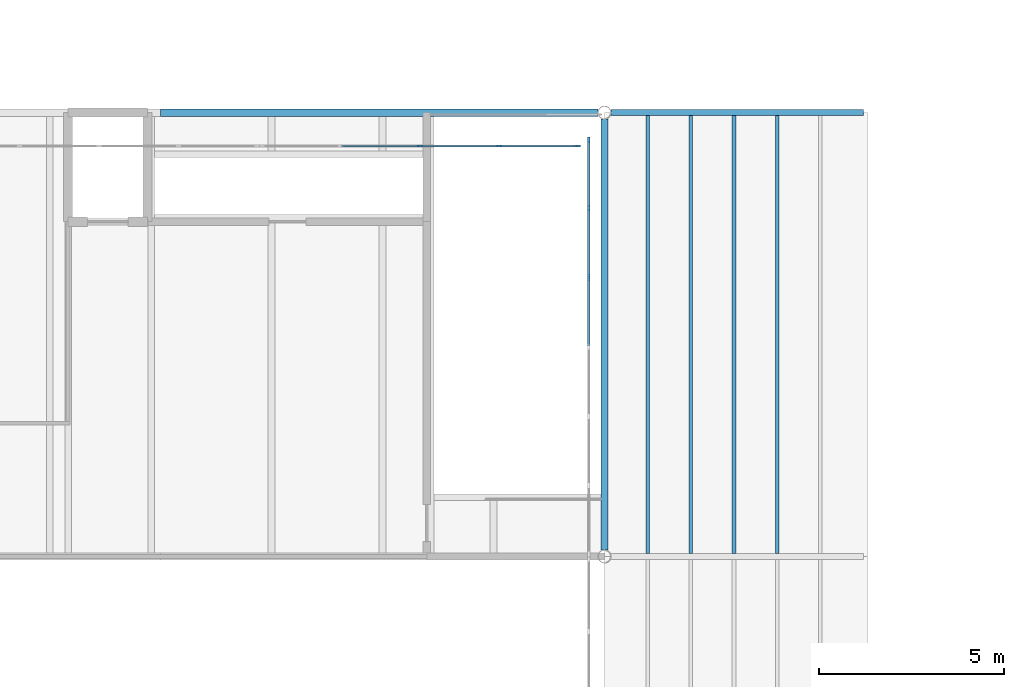
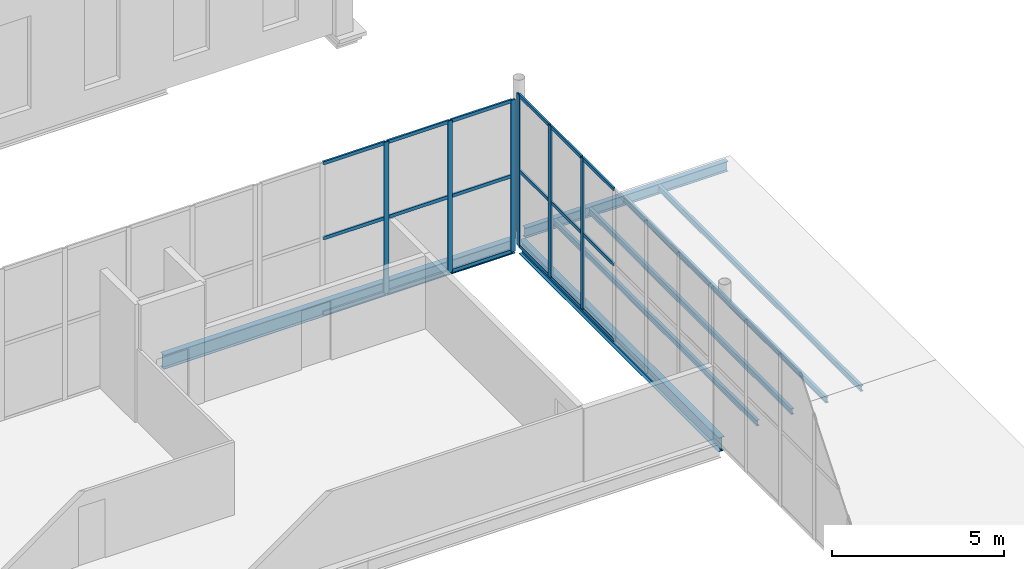
# One storey, part 83 of 170: 28 members, 3 beams, 2 elements without a shape of their own.
"""IFC4 building model written with IfcOpenShell, lengths in metres."""

from ifc_helpers import new_model, si_unit, direction, frame, origin, origin_2d, place, context, subcontext, project, spatial, rectangle, i_section, extrude, material, layer, layer_set, material_profile, profile_set, type_object, element, aggregate, save


model = new_model("IFC4")

# Units and contexts
model_context = context("Model", 3, precision=1e-05, world=origin(), true_north=direction((0.0, 1.0)))
body_context = subcontext(model_context, "Body", "Model", "MODEL_VIEW")
ifc_project = project(units=[si_unit("LENGTHUNIT", "METRE"), si_unit("AREAUNIT", "SQUARE_METRE"), si_unit("VOLUMEUNIT", "CUBIC_METRE"), si_unit("PLANEANGLEUNIT", "RADIAN"), si_unit("MASSUNIT", "GRAM", prefix="KILO")], contexts=[model_context])

# Site, building, storey
site_placement = place(None, origin())
site = spatial("IfcSite", under=ifc_project, at=site_placement, CompositionType="ELEMENT")
building_placement = place(site_placement, origin())
building = spatial("IfcBuilding", under=site, at=building_placement, Name="Ravi Spectrum Wholesale Market", CompositionType="ELEMENT")
storey_placement = place(building_placement, frame((0.0, 0.0, 5.39990234375)))
storey = spatial("IfcBuildingStorey", under=building, at=storey_placement, Name="L01", CompositionType="ELEMENT", Elevation=5.39990234375)

# Members
ifc_material_1 = material(Name="Steel S355", Category="steel")
ifc_material_profile_1 = material_profile(ifc_material_1, i_section(OverallWidth=0.10009765625, OverallDepth=0.199951171875, WebThickness=0.005615234375, FlangeThickness=0.008544921875, at=origin_2d()))
ifc_profile_set_1 = profile_set([ifc_material_profile_1], Name="Steel S355")
member_type_1 = type_object("IfcMemberType", Name="IPE 200 purlin", PredefinedType="PURLIN", material=ifc_profile_set_1)
for number, where, z_axis, x_axis, name in (
    (1, (199.166748046875, 174.0849609375, -0.099853515625), (0.0, 1.0, 0.0), (-1.0, 0.0, 0.0), "H3-MB-L01-024"),
    (2, (200.333251953125, 174.0849609375, -0.099853515625), (0.0, 1.0, 0.0), (-1.0, 0.0, 0.0), "H3-MB-L01-025"),
    (3, (201.5, 174.0849609375, -0.099853515625), (0.0, 1.0, 0.0), (-1.0, 0.0, 0.0), "H3-MB-L01-026"),
    (4, (202.666748046875, 174.0849609375, -0.099853515625), (0.0, 1.0, 0.0), (-1.0, 0.0, 0.0), "H3-MB-L01-027"),
):
    element("IfcMember", number, at=place(storey_placement, frame(where, z_axis=z_axis, x_axis=x_axis)), inside=storey, type_object=member_type_1, Name=name, PredefinedType="PURLIN", context=body_context, shape_type="SweptSolid", body=[
        extrude(i_section(OverallWidth=0.10009765625, OverallDepth=0.199951171875, WebThickness=0.005615234375, FlangeThickness=0.008544921875, at=origin_2d()), origin(), (0.0, 0.0, 1.0), 11.830078125),
    ])

# Beams
ifc_material_2 = material(Name="Steel S355", Category="steel")
ifc_material_profile_2 = material_profile(ifc_material_2, i_section(OverallWidth=0.169921875, OverallDepth=0.360107421875, WebThickness=0.008056640625, FlangeThickness=0.0126953125, at=origin_2d()))
ifc_profile_set_2 = profile_set([ifc_material_profile_2], Name="Steel S355")
beam_type_1 = type_object("IfcBeamType", Name="IPE 360 beam", PredefinedType="BEAM", material=ifc_profile_set_2)
beam_1_placement = place(storey_placement, frame((198.177734375, 186.0, -0.179931640625), z_axis=(1.0, 0.0, 0.0), x_axis=(0.0, 1.0, 0.0)))
element("IfcBeam", 5, at=beam_1_placement, inside=storey, type_object=beam_type_1, Name="H3-BM-L01-034", PredefinedType="BEAM", context=body_context, shape_type="SweptSolid", body=[
    extrude(i_section(OverallWidth=0.169921875, OverallDepth=0.360107421875, WebThickness=0.008056640625, FlangeThickness=0.0126953125, at=origin_2d()), origin(), (0.0, 0.0, 1.0), 6.822265625),
])
ifc_material_3 = material(Name="Steel S355", Category="steel")
ifc_material_profile_3 = material_profile(ifc_material_3, i_section(OverallWidth=0.199951171875, OverallDepth=0.5, WebThickness=0.01025390625, FlangeThickness=0.01611328125, at=origin_2d()))
ifc_profile_set_3 = profile_set([ifc_material_profile_3], Name="Steel S355")
beam_type_2 = type_object("IfcBeamType", Name="IPE 500 girder", PredefinedType="BEAM", material=ifc_profile_set_3)
beam_2_placement = place(storey_placement, frame((186.0, 186.0, -0.5), z_axis=(1.0, 0.0, 0.0), x_axis=(0.0, 1.0, 0.0)))
element("IfcBeam", 6, at=beam_2_placement, inside=storey, type_object=beam_type_2, Name="H3-BM-L01-006", PredefinedType="BEAM", context=body_context, shape_type="SweptSolid", body=[
    extrude(i_section(OverallWidth=0.199951171875, OverallDepth=0.5, WebThickness=0.01025390625, FlangeThickness=0.01611328125, at=origin_2d()), origin(), (0.0, 0.0, 1.0), 11.822265625),
])
beam_3_placement = place(storey_placement, frame((198.0, 174.177734375, -0.5), z_axis=(0.0, 1.0, 0.0), x_axis=(-1.0, 0.0, 0.0)))
element("IfcBeam", 7, at=beam_3_placement, inside=storey, type_object=beam_type_2, Name="H3-BM-L01-008", PredefinedType="BEAM", context=body_context, shape_type="SweptSolid", body=[
    extrude(i_section(OverallWidth=0.199951171875, OverallDepth=0.5, WebThickness=0.01025390625, FlangeThickness=0.01611328125, at=origin_2d()), origin(), (0.0, 0.0, 1.0), 11.64453125),
])

# Curtain wall, members
ifc_material_4 = material(Name="Aluminium 6063-T6", Category="aluminium")
ifc_layer = layer(ifc_material_4, 0.14990234375)
ifc_layer_set = layer_set([ifc_layer], Name="Aluminium 6063-T6")
curtain_wall_type = type_object("IfcCurtainWallType", Name="Curtain wall 150", PredefinedType="NOTDEFINED", material=ifc_layer_set)
curtain_wall_1_placement = place(storey_placement, origin())
curtain_wall_1 = element("IfcCurtainWall", 8, at=curtain_wall_1_placement, inside=storey, type_object=curtain_wall_type, Name="H3-CW-L01-008", PredefinedType="NOTDEFINED")
ifc_material_5 = material(Name="Aluminium 6063-T6", Category="aluminium")
ifc_material_profile_4 = material_profile(ifc_material_5, rectangle(XDim=0.06005859375, YDim=0.159912109375, at=origin_2d()))
ifc_profile_set_4 = profile_set([ifc_material_profile_4], Name="Aluminium 6063-T6")
member_type_2 = type_object("IfcMemberType", Name="Mullion 60 x 160", PredefinedType="MULLION", material=ifc_profile_set_4)
member_1_placement = place(storey_placement, frame((197.572265625, 181.5400390625, 0.0), z_axis=(0.0, 0.0, 1.0), x_axis=(-1.0, 0.0, 0.0)))
member_1 = element("IfcMember", 9, at=member_1_placement, type_object=member_type_2, Name="H3-CW-L01-008 mullion 5", PredefinedType="MULLION", context=body_context, shape_type="SweptSolid", body=[
    extrude(rectangle(XDim=0.06005859375, YDim=0.159912109375, at=origin_2d()), origin(), (0.0, 0.0, 1.0), 5.400146484375),
])
member_2_placement = place(storey_placement, frame((197.572265625, 183.4150390625, 0.0), z_axis=(0.0, 0.0, 1.0), x_axis=(-1.0, 0.0, 0.0)))
member_2 = element("IfcMember", 10, at=member_2_placement, type_object=member_type_2, Name="H3-CW-L01-008 mullion 6", PredefinedType="MULLION", context=body_context, shape_type="SweptSolid", body=[
    extrude(rectangle(XDim=0.06005859375, YDim=0.159912109375, at=origin_2d()), origin(), (0.0, 0.0, 1.0), 5.400146484375),
])
member_3_placement = place(storey_placement, frame((197.572265625, 185.260009765625, 0.0), z_axis=(0.0, 0.0, 1.0), x_axis=(-1.0, 0.0, 0.0)))
member_3 = element("IfcMember", 11, at=member_3_placement, type_object=member_type_2, Name="H3-CW-L01-008 mullion 7", PredefinedType="MULLION", context=body_context, shape_type="SweptSolid", body=[
    extrude(rectangle(XDim=0.06005859375, YDim=0.159912109375, at=origin_2d()), origin(), (0.0, 0.0, 1.0), 5.400146484375),
])

curtain_wall_2_placement = place(storey_placement, origin())
curtain_wall_2 = element("IfcCurtainWall", 12, at=curtain_wall_2_placement, inside=storey, type_object=curtain_wall_type, Name="H3-CW-L01-016", PredefinedType="NOTDEFINED")
member_4_placement = place(storey_placement, frame((193.006591796875, 185.10009765625, 0.0), z_axis=(0.0, 0.0, 1.0), x_axis=(0.0, 1.0, 0.0)))
member_4 = element("IfcMember", 13, at=member_4_placement, type_object=member_type_2, Name="H3-CW-L01-016 mullion 3", PredefinedType="MULLION", context=body_context, shape_type="SweptSolid", body=[
    extrude(rectangle(XDim=0.06005859375, YDim=0.159912109375, at=origin_2d()), origin(), (0.0, 0.0, 1.0), 5.400146484375),
])
member_5_placement = place(storey_placement, frame((195.154541015625, 185.10009765625, 0.0), z_axis=(0.0, 0.0, 1.0), x_axis=(0.0, 1.0, 0.0)))
member_5 = element("IfcMember", 14, at=member_5_placement, type_object=member_type_2, Name="H3-CW-L01-016 mullion 4", PredefinedType="MULLION", context=body_context, shape_type="SweptSolid", body=[
    extrude(rectangle(XDim=0.06005859375, YDim=0.159912109375, at=origin_2d()), origin(), (0.0, 0.0, 1.0), 5.400146484375),
])
member_6_placement = place(storey_placement, frame((197.272216796875, 185.10009765625, 0.0), z_axis=(0.0, 0.0, 1.0), x_axis=(0.0, 1.0, 0.0)))
member_6 = element("IfcMember", 15, at=member_6_placement, type_object=member_type_2, Name="H3-CW-L01-016 mullion 5", PredefinedType="MULLION", context=body_context, shape_type="SweptSolid", body=[
    extrude(rectangle(XDim=0.06005859375, YDim=0.159912109375, at=origin_2d()), origin(), (0.0, 0.0, 1.0), 5.400146484375),
])

# Member
ifc_material_6 = material(Name="Aluminium 6063-T6", Category="aluminium")
ifc_material_profile_5 = material_profile(ifc_material_6, rectangle(XDim=0.06005859375, YDim=0.1201171875, at=origin_2d()))
ifc_profile_set_5 = profile_set([ifc_material_profile_5], Name="Aluminium 6063-T6")
member_type_3 = type_object("IfcMemberType", Name="Transom 60 x 120", PredefinedType="USERDEFINED", material=ifc_profile_set_5)
member_7_placement = place(storey_placement, frame((197.572265625, 179.695068359375, 0.030029296875), z_axis=(0.0, 1.0, 0.0), x_axis=(-1.0, 0.0, 0.0)))
member_7 = element("IfcMember", 16, at=member_7_placement, type_object=member_type_3, Name="H3-CW-L01-008 transom 4.1", ObjectType="TRANSOM", PredefinedType="USERDEFINED", context=body_context, shape_type="SweptSolid", body=[
    extrude(rectangle(XDim=0.06005859375, YDim=0.1201171875, at=origin_2d()), origin(), (0.0, 0.0, 1.0), 1.81494140625),
])

member_8_placement = place(storey_placement, frame((197.572265625, 179.695068359375, 2.7001953125), z_axis=(0.0, 1.0, 0.0), x_axis=(-1.0, 0.0, 0.0)))
member_8 = element("IfcMember", 17, at=member_8_placement, type_object=member_type_3, Name="H3-CW-L01-008 transom 4.2", ObjectType="TRANSOM", PredefinedType="USERDEFINED", context=body_context, shape_type="SweptSolid", body=[
    extrude(rectangle(XDim=0.06005859375, YDim=0.1201171875, at=origin_2d()), origin(), (0.0, 0.0, 1.0), 1.81494140625),
])

member_9_placement = place(storey_placement, frame((197.572265625, 179.695068359375, 5.3701171875), z_axis=(0.0, 1.0, 0.0), x_axis=(-1.0, 0.0, 0.0)))
member_9 = element("IfcMember", 18, at=member_9_placement, type_object=member_type_3, Name="H3-CW-L01-008 transom 4.3", ObjectType="TRANSOM", PredefinedType="USERDEFINED", context=body_context, shape_type="SweptSolid", body=[
    extrude(rectangle(XDim=0.06005859375, YDim=0.1201171875, at=origin_2d()), origin(), (0.0, 0.0, 1.0), 1.81494140625),
])

member_10_placement = place(storey_placement, frame((197.572265625, 181.570068359375, 0.030029296875), z_axis=(0.0, 1.0, 0.0), x_axis=(-1.0, 0.0, 0.0)))
member_10 = element("IfcMember", 19, at=member_10_placement, type_object=member_type_3, Name="H3-CW-L01-008 transom 5.1", ObjectType="TRANSOM", PredefinedType="USERDEFINED", context=body_context, shape_type="SweptSolid", body=[
    extrude(rectangle(XDim=0.06005859375, YDim=0.1201171875, at=origin_2d()), origin(), (0.0, 0.0, 1.0), 1.81494140625),
])

member_11_placement = place(storey_placement, frame((197.572265625, 181.570068359375, 2.7001953125), z_axis=(0.0, 1.0, 0.0), x_axis=(-1.0, 0.0, 0.0)))
member_11 = element("IfcMember", 20, at=member_11_placement, type_object=member_type_3, Name="H3-CW-L01-008 transom 5.2", ObjectType="TRANSOM", PredefinedType="USERDEFINED", context=body_context, shape_type="SweptSolid", body=[
    extrude(rectangle(XDim=0.06005859375, YDim=0.1201171875, at=origin_2d()), origin(), (0.0, 0.0, 1.0), 1.81494140625),
])

member_12_placement = place(storey_placement, frame((197.572265625, 181.570068359375, 5.3701171875), z_axis=(0.0, 1.0, 0.0), x_axis=(-1.0, 0.0, 0.0)))
member_12 = element("IfcMember", 21, at=member_12_placement, type_object=member_type_3, Name="H3-CW-L01-008 transom 5.3", ObjectType="TRANSOM", PredefinedType="USERDEFINED", context=body_context, shape_type="SweptSolid", body=[
    extrude(rectangle(XDim=0.06005859375, YDim=0.1201171875, at=origin_2d()), origin(), (0.0, 0.0, 1.0), 1.81494140625),
])

member_13_placement = place(storey_placement, frame((197.572265625, 183.445068359375, 0.030029296875), z_axis=(0.0, 1.0, 0.0), x_axis=(-1.0, 0.0, 0.0)))
member_13 = element("IfcMember", 22, at=member_13_placement, type_object=member_type_3, Name="H3-CW-L01-008 transom 6.1", ObjectType="TRANSOM", PredefinedType="USERDEFINED", context=body_context, shape_type="SweptSolid", body=[
    extrude(rectangle(XDim=0.06005859375, YDim=0.1201171875, at=origin_2d()), origin(), (0.0, 0.0, 1.0), 1.784912109375),
])

member_14_placement = place(storey_placement, frame((197.572265625, 183.445068359375, 2.7001953125), z_axis=(0.0, 1.0, 0.0), x_axis=(-1.0, 0.0, 0.0)))
member_14 = element("IfcMember", 23, at=member_14_placement, type_object=member_type_3, Name="H3-CW-L01-008 transom 6.2", ObjectType="TRANSOM", PredefinedType="USERDEFINED", context=body_context, shape_type="SweptSolid", body=[
    extrude(rectangle(XDim=0.06005859375, YDim=0.1201171875, at=origin_2d()), origin(), (0.0, 0.0, 1.0), 1.784912109375),
])

member_15_placement = place(storey_placement, frame((197.572265625, 183.445068359375, 5.3701171875), z_axis=(0.0, 1.0, 0.0), x_axis=(-1.0, 0.0, 0.0)))
member_15 = element("IfcMember", 24, at=member_15_placement, type_object=member_type_3, Name="H3-CW-L01-008 transom 6.3", ObjectType="TRANSOM", PredefinedType="USERDEFINED", context=body_context, shape_type="SweptSolid", body=[
    extrude(rectangle(XDim=0.06005859375, YDim=0.1201171875, at=origin_2d()), origin(), (0.0, 0.0, 1.0), 1.784912109375),
])

aggregate(curtain_wall_1, [member_1, member_2, member_3, member_7, member_8, member_9, member_10, member_11, member_12, member_13, member_14, member_15])

member_16_placement = place(storey_placement, frame((190.888916015625, 185.10009765625, 0.030029296875), z_axis=(1.0, 0.0, 0.0), x_axis=(0.0, 1.0, 0.0)))
member_16 = element("IfcMember", 25, at=member_16_placement, type_object=member_type_3, Name="H3-CW-L01-016 transom 2.1", ObjectType="TRANSOM", PredefinedType="USERDEFINED", context=body_context, shape_type="SweptSolid", body=[
    extrude(rectangle(XDim=0.06005859375, YDim=0.1201171875, at=origin_2d()), origin(), (0.0, 0.0, 1.0), 2.087646484375),
])

member_17_placement = place(storey_placement, frame((190.888916015625, 185.10009765625, 2.7001953125), z_axis=(1.0, 0.0, 0.0), x_axis=(0.0, 1.0, 0.0)))
member_17 = element("IfcMember", 26, at=member_17_placement, type_object=member_type_3, Name="H3-CW-L01-016 transom 2.2", ObjectType="TRANSOM", PredefinedType="USERDEFINED", context=body_context, shape_type="SweptSolid", body=[
    extrude(rectangle(XDim=0.06005859375, YDim=0.1201171875, at=origin_2d()), origin(), (0.0, 0.0, 1.0), 2.087646484375),
])

member_18_placement = place(storey_placement, frame((190.888916015625, 185.10009765625, 5.3701171875), z_axis=(1.0, 0.0, 0.0), x_axis=(0.0, 1.0, 0.0)))
member_18 = element("IfcMember", 27, at=member_18_placement, type_object=member_type_3, Name="H3-CW-L01-016 transom 2.3", ObjectType="TRANSOM", PredefinedType="USERDEFINED", context=body_context, shape_type="SweptSolid", body=[
    extrude(rectangle(XDim=0.06005859375, YDim=0.1201171875, at=origin_2d()), origin(), (0.0, 0.0, 1.0), 2.087646484375),
])

member_19_placement = place(storey_placement, frame((193.03662109375, 185.10009765625, 0.030029296875), z_axis=(1.0, 0.0, 0.0), x_axis=(0.0, 1.0, 0.0)))
member_19 = element("IfcMember", 28, at=member_19_placement, type_object=member_type_3, Name="H3-CW-L01-016 transom 3.1", ObjectType="TRANSOM", PredefinedType="USERDEFINED", context=body_context, shape_type="SweptSolid", body=[
    extrude(rectangle(XDim=0.06005859375, YDim=0.1201171875, at=origin_2d()), origin(), (0.0, 0.0, 1.0), 2.087890625),
])

member_20_placement = place(storey_placement, frame((193.03662109375, 185.10009765625, 2.7001953125), z_axis=(1.0, 0.0, 0.0), x_axis=(0.0, 1.0, 0.0)))
member_20 = element("IfcMember", 29, at=member_20_placement, type_object=member_type_3, Name="H3-CW-L01-016 transom 3.2", ObjectType="TRANSOM", PredefinedType="USERDEFINED", context=body_context, shape_type="SweptSolid", body=[
    extrude(rectangle(XDim=0.06005859375, YDim=0.1201171875, at=origin_2d()), origin(), (0.0, 0.0, 1.0), 2.087890625),
])

member_21_placement = place(storey_placement, frame((193.03662109375, 185.10009765625, 5.3701171875), z_axis=(1.0, 0.0, 0.0), x_axis=(0.0, 1.0, 0.0)))
member_21 = element("IfcMember", 30, at=member_21_placement, type_object=member_type_3, Name="H3-CW-L01-016 transom 3.3", ObjectType="TRANSOM", PredefinedType="USERDEFINED", context=body_context, shape_type="SweptSolid", body=[
    extrude(rectangle(XDim=0.06005859375, YDim=0.1201171875, at=origin_2d()), origin(), (0.0, 0.0, 1.0), 2.087890625),
])

member_22_placement = place(storey_placement, frame((195.184326171875, 185.10009765625, 0.030029296875), z_axis=(1.0, 0.0, 0.0), x_axis=(0.0, 1.0, 0.0)))
member_22 = element("IfcMember", 31, at=member_22_placement, type_object=member_type_3, Name="H3-CW-L01-016 transom 4.1", ObjectType="TRANSOM", PredefinedType="USERDEFINED", context=body_context, shape_type="SweptSolid", body=[
    extrude(rectangle(XDim=0.06005859375, YDim=0.1201171875, at=origin_2d()), origin(), (0.0, 0.0, 1.0), 2.057861328125),
])

member_23_placement = place(storey_placement, frame((195.184326171875, 185.10009765625, 2.7001953125), z_axis=(1.0, 0.0, 0.0), x_axis=(0.0, 1.0, 0.0)))
member_23 = element("IfcMember", 32, at=member_23_placement, type_object=member_type_3, Name="H3-CW-L01-016 transom 4.2", ObjectType="TRANSOM", PredefinedType="USERDEFINED", context=body_context, shape_type="SweptSolid", body=[
    extrude(rectangle(XDim=0.06005859375, YDim=0.1201171875, at=origin_2d()), origin(), (0.0, 0.0, 1.0), 2.057861328125),
])

member_24_placement = place(storey_placement, frame((195.184326171875, 185.10009765625, 5.3701171875), z_axis=(1.0, 0.0, 0.0), x_axis=(0.0, 1.0, 0.0)))
member_24 = element("IfcMember", 33, at=member_24_placement, type_object=member_type_3, Name="H3-CW-L01-016 transom 4.3", ObjectType="TRANSOM", PredefinedType="USERDEFINED", context=body_context, shape_type="SweptSolid", body=[
    extrude(rectangle(XDim=0.06005859375, YDim=0.1201171875, at=origin_2d()), origin(), (0.0, 0.0, 1.0), 2.057861328125),
])

aggregate(curtain_wall_2, [member_4, member_5, member_6, member_16, member_17, member_18, member_19, member_20, member_21, member_22, member_23, member_24])

save(model, "model.ifc")
